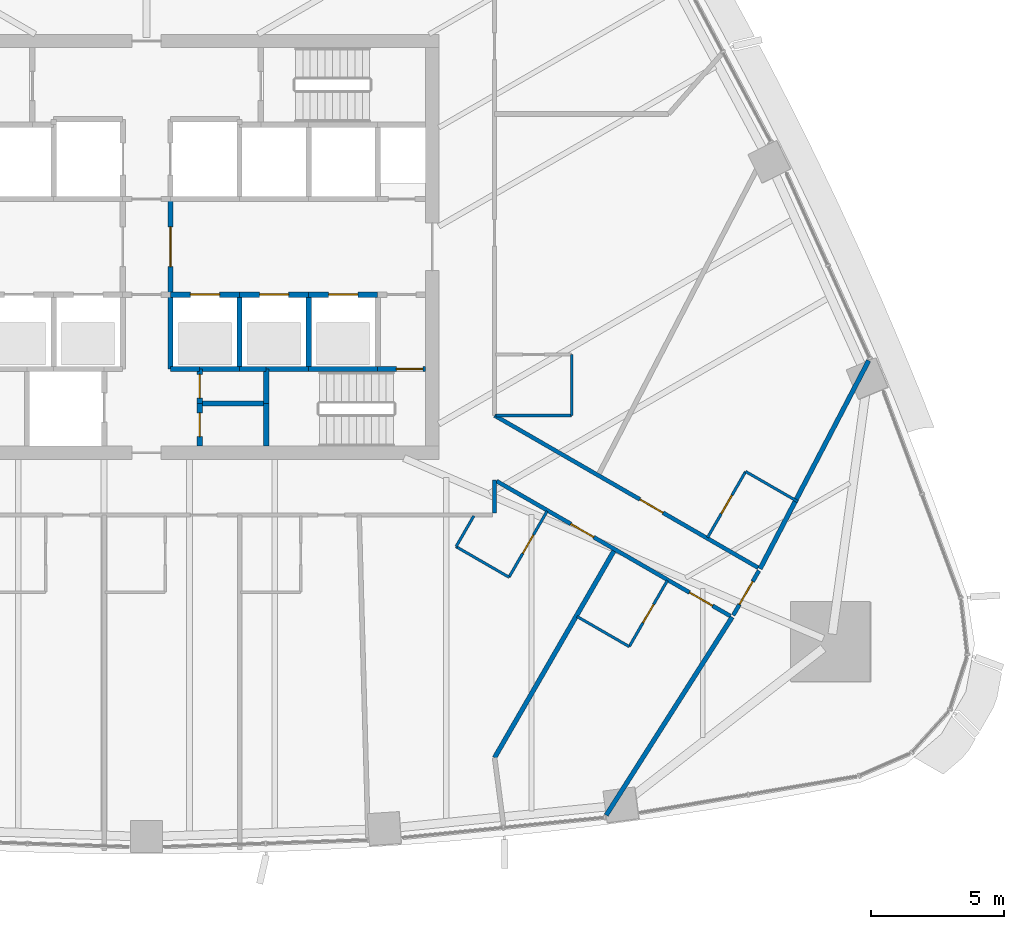
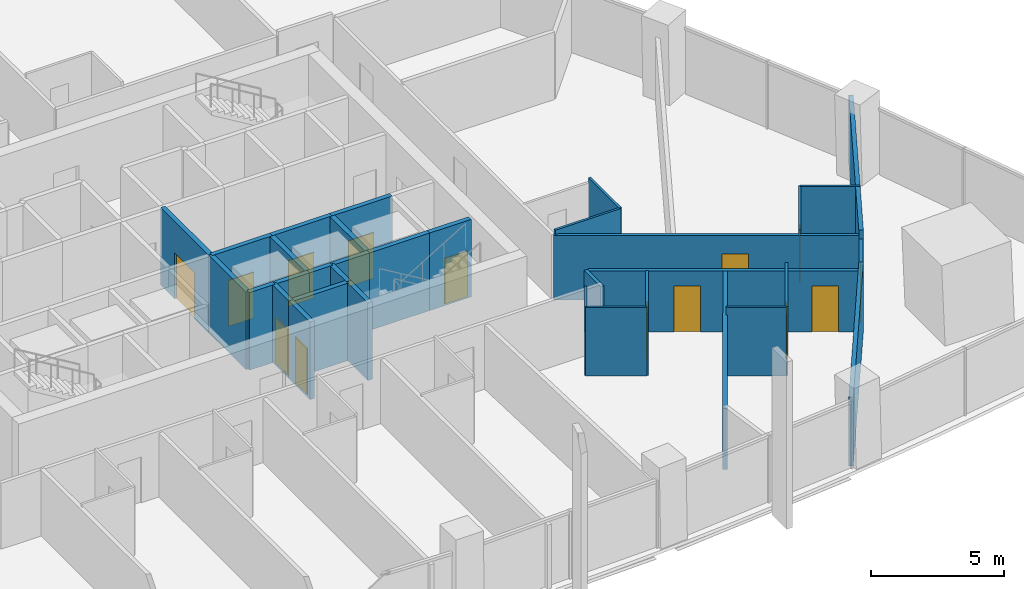
# One storey, part 12 of 22: 34 walls, 14 doors, 14 openings.
"""IFC4 building model written with IfcOpenShell, lengths in metres."""

from ifc_helpers import new_model, si_unit, direction, frame, frame_2d, origin, place, context, subcontext, project, spatial, rectangle, extrude, material, layer, layer_set, type_object, element, fill, save


model = new_model("IFC4")

# Units and contexts
model_context = context("Model", 3, precision=1e-05, world=origin(), true_north=direction((0.0, 1.0)))
body_context = subcontext(model_context, "Body", "Model", "MODEL_VIEW")
ifc_project = project(units=[si_unit("LENGTHUNIT", "METRE"), si_unit("AREAUNIT", "SQUARE_METRE"), si_unit("VOLUMEUNIT", "CUBIC_METRE"), si_unit("PLANEANGLEUNIT", "RADIAN"), si_unit("MASSUNIT", "GRAM", prefix="KILO")], contexts=[model_context])

# Site, building, storey
site_placement = place(None, origin())
site = spatial("IfcSite", under=ifc_project, at=site_placement, CompositionType="ELEMENT")
building_placement = place(site_placement, origin())
building = spatial("IfcBuilding", under=site, at=building_placement, Name="Sierra Prisma Convention Tower", CompositionType="ELEMENT")
storey_placement = place(building_placement, frame((0.0, 0.0, 96.10009765625)))
storey = spatial("IfcBuildingStorey", under=building, at=storey_placement, Name="L20", CompositionType="ELEMENT", Elevation=96.10009765625)

# Wall, opening, door
ifc_material_1 = material(Name="Gypsum board partition", Category="gypsum")
ifc_layer_1 = layer(ifc_material_1, 0.10009765625)
ifc_layer_set_1 = layer_set([ifc_layer_1], Name="Bathroom partition 100")
wall_type_1 = type_object("IfcWallType", Name="Bathroom partition 100", PredefinedType="PARTITIONING", material=ifc_layer_set_1)
wall_1_placement = place(storey_placement, frame((15.076904296875, -9.95166015625, 0.0), z_axis=(0.0, 0.0, 1.0), x_axis=(-0.499999802827, -0.866025517622, 0.0)))
wall_1 = element("IfcWall", 1, at=wall_1_placement, inside=storey, type_object=wall_type_1, Name="Partition L20 bath 22", PredefinedType="PARTITIONING", context=body_context, shape_type="SweptSolid", body=[
    extrude(rectangle(XDim=2.8701171875, YDim=0.10009765625, at=frame_2d((1.43505859375, 0.0))), origin(), (0.0, 0.0, 1.0), 2.796875),
])
opening_1_placement = place(wall_1_placement, frame((1.034912109375, 0.0, 0.0)))
opening_1 = element("IfcOpeningElement", 2, at=opening_1_placement, cuts=wall_1, Name="Opening L20-D011", PredefinedType="OPENING", context=body_context, shape_type="SweptSolid", body=[
    extrude(rectangle(XDim=0.800048828125, YDim=2.10009765625, at=frame_2d((0.39990234375, 1.050048828125))), frame((0.0, 0.050048828125, 0.0), z_axis=(0.0, -1.0, 0.0), x_axis=(1.0, 0.0, 0.0)), (0.0, 0.0, 1.0), 0.10009765625),
])
ifc_material_2 = material(Name="Solid core timber door leaf", Category="wood")
door_type_1 = type_object("IfcDoorType", Name="Door 800x2100 plain", OperationType="SINGLE_SWING_LEFT", PredefinedType="DOOR", material=ifc_material_2)
door_1_placement = place(opening_1_placement, origin())
door_1 = element("IfcDoor", 3, at=door_1_placement, inside=storey, type_object=door_type_1, Name="Door L20 26", OperationType="SINGLE_SWING_LEFT", OverallHeight=2.10009765625, OverallWidth=0.800048828125, PredefinedType="DOOR", context=body_context, shape_type="SweptSolid", body=[
    extrude(rectangle(XDim=0.800048828125, YDim=2.10009765625, at=frame_2d((0.39990234375, 1.050048828125))), frame((0.0, 0.02490234375, 0.0), z_axis=(0.0, -1.0, 0.0), x_axis=(1.0, 0.0, 0.0)), (0.0, 0.0, 1.0), 0.050048828125),
])
fill(opening_1, door_1)

# Walls
wall_2_placement = place(storey_placement, frame((13.641845703125, -12.437255859375, 0.0), z_axis=(0.0, 0.0, 1.0), x_axis=(-0.866007057882, 0.500031774688, 0.0)))
element("IfcWall", 4, at=wall_2_placement, inside=storey, type_object=wall_type_1, Name="Partition L20 bath 23", PredefinedType="PARTITIONING", context=body_context, shape_type="SweptSolid", body=[
    extrude(rectangle(XDim=2.300048828125, YDim=0.10009765625, at=frame_2d((1.14990234375, 0.0))), origin(), (0.0, 0.0, 1.0), 3.14990234375),
])
wall_3_placement = place(storey_placement, frame((11.64990234375, -11.287109375, 0.0), z_axis=(0.0, 0.0, 1.0), x_axis=(0.500049290317, 0.865996944136, 0.0)))
element("IfcWall", 5, at=wall_3_placement, inside=storey, type_object=wall_type_1, Name="Partition L20 bath 24", PredefinedType="PARTITIONING", context=body_context, shape_type="SweptSolid", body=[
    extrude(rectangle(XDim=1.336181640625, YDim=0.10009765625, at=frame_2d((0.66796875, 0.0))), origin(), (0.0, 0.0, 1.0), 3.14990234375),
])
wall_4_placement = place(storey_placement, frame((16.0, -4.05078125, 0.0), z_axis=(0.0, 0.0, 1.0), x_axis=(0.0, -1.0, 0.0)))
element("IfcWall", 6, at=wall_4_placement, inside=storey, type_object=wall_type_1, Name="Partition L20 bath 26", PredefinedType="PARTITIONING", context=body_context, shape_type="SweptSolid", body=[
    extrude(rectangle(XDim=2.300048828125, YDim=0.10009765625, at=frame_2d((1.14990234375, 0.0))), origin(), (0.0, 0.0, 1.0), 3.14990234375),
])
wall_5_placement = place(storey_placement, frame((16.0, -6.350830078125, 0.0), z_axis=(0.0, 0.0, 1.0), x_axis=(-1.0, 0.0, 0.0)))
element("IfcWall", 7, at=wall_5_placement, inside=storey, type_object=wall_type_1, Name="Partition L20 bath 27", PredefinedType="PARTITIONING", context=body_context, shape_type="SweptSolid", body=[
    extrude(rectangle(XDim=2.840087890625, YDim=0.10009765625, at=frame_2d((1.419921875, 0.0))), origin(), (0.0, 0.0, 1.0), 3.14990234375),
])

# Wall, opening, door
wall_6_placement = place(storey_placement, frame((19.602783203125, -12.564697265625, 0.0), z_axis=(0.0, 0.0, 1.0), x_axis=(-0.499936001555, -0.866062350151, 0.0)))
wall_6 = element("IfcWall", 8, at=wall_6_placement, inside=storey, type_object=wall_type_1, Name="Partition L20 bath 28", PredefinedType="PARTITIONING", context=body_context, shape_type="SweptSolid", body=[
    extrude(rectangle(XDim=2.8701171875, YDim=0.10009765625, at=frame_2d((1.43505859375, 0.0))), origin(), (0.0, 0.0, 1.0), 3.14990234375),
])
opening_2_placement = place(wall_6_placement, frame((1.034912109375, 0.0, 0.0)))
opening_2 = element("IfcOpeningElement", 9, at=opening_2_placement, cuts=wall_6, Name="Opening L20-D012", PredefinedType="OPENING", context=body_context, shape_type="SweptSolid", body=[
    extrude(rectangle(XDim=0.800048828125, YDim=2.10009765625, at=frame_2d((0.39990234375, 1.050048828125))), frame((0.0, 0.050048828125, 0.0), z_axis=(0.0, -1.0, 0.0), x_axis=(1.0, 0.0, 0.0)), (0.0, 0.0, 1.0), 0.10009765625),
])
door_2_placement = place(opening_2_placement, origin())
door_2 = element("IfcDoor", 10, at=door_2_placement, inside=storey, type_object=door_type_1, Name="Door L20 28", OperationType="SINGLE_SWING_LEFT", OverallHeight=2.10009765625, OverallWidth=0.800048828125, PredefinedType="DOOR", context=body_context, shape_type="SweptSolid", body=[
    extrude(rectangle(XDim=0.800048828125, YDim=2.10009765625, at=frame_2d((0.39990234375, 1.050048828125))), frame((0.0, 0.02490234375, 0.0), z_axis=(0.0, -1.0, 0.0), x_axis=(1.0, 0.0, 0.0)), (0.0, 0.0, 1.0), 0.050048828125),
])
fill(opening_2, door_2)

# Wall
wall_7_placement = place(storey_placement, frame((18.16796875, -15.05029296875, 0.0), z_axis=(0.0, 0.0, 1.0), x_axis=(-0.866044110172, 0.499967598186, 0.0)))
element("IfcWall", 11, at=wall_7_placement, inside=storey, type_object=wall_type_1, Name="Partition L20 bath 29", PredefinedType="PARTITIONING", context=body_context, shape_type="SweptSolid", body=[
    extrude(rectangle(XDim=2.270263671875, YDim=0.10009765625, at=frame_2d((1.13525390625, 0.0))), origin(), (0.0, 0.0, 1.0), 3.14990234375),
])

# Wall, opening, door
wall_8_placement = place(storey_placement, frame((21.115966796875, -10.944091796875, 0.0), z_axis=(0.0, 0.0, 1.0), x_axis=(0.499972835562, 0.866041086612, 0.0)))
wall_8 = element("IfcWall", 12, at=wall_8_placement, inside=storey, type_object=wall_type_1, Name="Partition L20 bath 30", PredefinedType="PARTITIONING", context=body_context, shape_type="SweptSolid", body=[
    extrude(rectangle(XDim=2.869873046875, YDim=0.10009765625, at=frame_2d((1.43505859375, 0.0))), origin(), (0.0, 0.0, 1.0), 3.14990234375),
])
opening_3_placement = place(wall_8_placement, frame((1.034912109375, 0.0, 0.0)))
opening_3 = element("IfcOpeningElement", 13, at=opening_3_placement, cuts=wall_8, Name="Opening L20-D013", PredefinedType="OPENING", context=body_context, shape_type="SweptSolid", body=[
    extrude(rectangle(XDim=0.800048828125, YDim=2.10009765625, at=frame_2d((0.39990234375, 1.050048828125))), frame((0.0, 0.050048828125, 0.0), z_axis=(0.0, -1.0, 0.0), x_axis=(1.0, 0.0, 0.0)), (0.0, 0.0, 1.0), 0.10009765625),
])
door_3_placement = place(opening_3_placement, origin())
door_3 = element("IfcDoor", 14, at=door_3_placement, inside=storey, type_object=door_type_1, Name="Door L20 31", OperationType="SINGLE_SWING_LEFT", OverallHeight=2.10009765625, OverallWidth=0.800048828125, PredefinedType="DOOR", context=body_context, shape_type="SweptSolid", body=[
    extrude(rectangle(XDim=0.800048828125, YDim=2.10009765625, at=frame_2d((0.39990234375, 1.050048828125))), frame((0.0, 0.02490234375, 0.0), z_axis=(0.0, -1.0, 0.0), x_axis=(1.0, 0.0, 0.0)), (0.0, 0.0, 1.0), 0.050048828125),
])
fill(opening_3, door_3)

# Wall
wall_9_placement = place(storey_placement, frame((22.55078125, -8.458740234375, 0.0), z_axis=(0.0, 0.0, 1.0), x_axis=(0.866044110172, -0.499967598186, 0.0)))
element("IfcWall", 15, at=wall_9_placement, inside=storey, type_object=wall_type_1, Name="Partition L20 bath 31", PredefinedType="PARTITIONING", context=body_context, shape_type="SweptSolid", body=[
    extrude(rectangle(XDim=2.270263671875, YDim=0.10009765625, at=frame_2d((1.13525390625, 0.0))), origin(), (0.0, 0.0, 1.0), 3.14990234375),
])

# Wall, opening, door
ifc_material_3 = material(Name="Concrete C30/37", Category="concrete")
ifc_layer_2 = layer(ifc_material_3, 0.199951171875)
ifc_layer_set_2 = layer_set([ifc_layer_2], Name="Core wall RC 200 C30/37")
wall_type_2 = type_object("IfcWallType", Name="Core wall RC 200 C30/37", PredefinedType="SOLIDWALL", material=ifc_layer_set_2)
wall_10_placement = place(storey_placement, frame((0.89990234375, -1.800048828125, 0.0), z_axis=(0.0, 0.0, 1.0), x_axis=(1.0, 0.0, 0.0)))
wall_10 = element("IfcWall", 16, at=wall_10_placement, inside=storey, type_object=wall_type_2, Name="Core wall L20 35", PredefinedType="SOLIDWALL", context=body_context, shape_type="SweptSolid", body=[
    extrude(rectangle(XDim=2.60009765625, YDim=0.199951171875, at=frame_2d((1.300048828125, 0.0))), origin(), (0.0, 0.0, 1.0), 3.5498046875),
])
opening_4_placement = place(wall_10_placement, frame((0.75, 0.0, 0.0)))
opening_4 = element("IfcOpeningElement", 17, at=opening_4_placement, cuts=wall_10, Name="Opening L20-D018", PredefinedType="OPENING", context=body_context, shape_type="SweptSolid", body=[
    extrude(rectangle(XDim=1.10009765625, YDim=2.10009765625, at=frame_2d((0.550048828125, 1.050048828125))), frame((0.0, 0.10009765625, 0.0), z_axis=(0.0, -1.0, 0.0), x_axis=(1.0, 0.0, 0.0)), (0.0, 0.0, 1.0), 0.199951171875),
])
ifc_material_4 = material(Name="Steel fire door leaf", Category="steel")
door_type_2 = type_object("IfcDoorType", Name="Door 1100x2100 EI 90 sliding lift landing", OperationType="SLIDING_TO_LEFT", PredefinedType="DOOR", material=ifc_material_4)
door_4_placement = place(opening_4_placement, origin())
door_4 = element("IfcDoor", 18, at=door_4_placement, inside=storey, type_object=door_type_2, Name="Door L20 37", OperationType="SLIDING_TO_RIGHT", OverallHeight=2.10009765625, OverallWidth=1.10009765625, PredefinedType="DOOR", context=body_context, shape_type="SweptSolid", body=[
    extrude(rectangle(XDim=1.10009765625, YDim=2.10009765625, at=frame_2d((0.550048828125, 1.050048828125))), frame((0.0, 0.02490234375, 0.0), z_axis=(0.0, -1.0, 0.0), x_axis=(1.0, 0.0, 0.0)), (0.0, 0.0, 1.0), 0.050048828125),
])
fill(opening_4, door_4)

wall_11_placement = place(storey_placement, frame((0.89990234375, -1.800048828125, 0.0), z_axis=(0.0, 0.0, 1.0), x_axis=(0.0, 1.0, 0.0)))
wall_11 = element("IfcWall", 19, at=wall_11_placement, inside=storey, type_object=wall_type_2, Name="Core wall L20 36", PredefinedType="SOLIDWALL", context=body_context, shape_type="SweptSolid", body=[
    extrude(rectangle(XDim=3.60009765625, YDim=0.199951171875, at=frame_2d((1.800048828125, 0.0))), origin(), (0.0, 0.0, 1.0), 3.5498046875),
])
opening_5_placement = place(wall_11_placement, frame((1.050048828125, 0.0, 0.0)))
opening_5 = element("IfcOpeningElement", 20, at=opening_5_placement, cuts=wall_11, Name="Opening L20-D025", PredefinedType="OPENING", context=body_context, shape_type="SweptSolid", body=[
    extrude(rectangle(XDim=1.5, YDim=2.10009765625, at=frame_2d((0.75, 1.050048828125))), frame((0.0, 0.10009765625, 0.0), z_axis=(0.0, -1.0, 0.0), x_axis=(1.0, 0.0, 0.0)), (0.0, 0.0, 1.0), 0.199951171875),
])
ifc_material_5 = material(Name="Steel fire door leaf", Category="steel")
door_type_3 = type_object("IfcDoorType", Name="Door 1500x2100 FD30S", OperationType="DOUBLE_DOOR_SINGLE_SWING", PredefinedType="DOOR", material=ifc_material_5)
door_5_placement = place(opening_5_placement, origin())
door_5 = element("IfcDoor", 21, at=door_5_placement, inside=storey, type_object=door_type_3, Name="Door L20 44", OperationType="DOUBLE_DOOR_SINGLE_SWING", OverallHeight=2.10009765625, OverallWidth=1.5, PredefinedType="DOOR", context=body_context, shape_type="SweptSolid", body=[
    extrude(rectangle(XDim=1.5, YDim=2.10009765625, at=frame_2d((0.75, 1.050048828125))), frame((0.0, 0.02490234375, 0.0), z_axis=(0.0, -1.0, 0.0), x_axis=(1.0, 0.0, 0.0)), (0.0, 0.0, 1.0), 0.050048828125),
])
fill(opening_5, door_5)

# Walls
wall_12_placement = place(storey_placement, frame((0.89990234375, -1.800048828125, 0.0), z_axis=(0.0, 0.0, 1.0), x_axis=(0.0, -1.0, 0.0)))
element("IfcWall", 22, at=wall_12_placement, inside=storey, type_object=wall_type_2, Name="Core wall L20 37", PredefinedType="SOLIDWALL", context=body_context, shape_type="SweptSolid", body=[
    extrude(rectangle(XDim=2.800048828125, YDim=0.199951171875, at=frame_2d((1.39990234375, 0.0))), origin(), (0.0, 0.0, 1.0), 3.5498046875),
])
wall_13_placement = place(storey_placement, frame((0.89990234375, -4.60009765625, 0.0), z_axis=(0.0, 0.0, 1.0), x_axis=(1.0, 0.0, 0.0)))
element("IfcWall", 23, at=wall_13_placement, inside=storey, type_object=wall_type_2, Name="Core wall L20 38", PredefinedType="SOLIDWALL", context=body_context, shape_type="SweptSolid", body=[
    extrude(rectangle(XDim=1.10009765625, YDim=0.199951171875, at=frame_2d((0.550048828125, 0.0))), origin(), (0.0, 0.0, 1.0), 3.5498046875),
])

# Wall, opening, door
wall_14_placement = place(storey_placement, frame((2.0, -5.89990234375, 0.0), z_axis=(0.0, 0.0, 1.0), x_axis=(0.0, -1.0, 0.0)))
wall_14 = element("IfcWall", 24, at=wall_14_placement, inside=storey, type_object=wall_type_2, Name="Core wall L20 43", PredefinedType="SOLIDWALL", context=body_context, shape_type="SweptSolid", body=[
    extrude(rectangle(XDim=1.60009765625, YDim=0.199951171875, at=frame_2d((0.800048828125, 0.0))), origin(), (0.0, 0.0, 1.0), 3.5498046875),
])
opening_6_placement = place(wall_14_placement, frame((0.35009765625, 0.0, 0.0)))
opening_6 = element("IfcOpeningElement", 25, at=opening_6_placement, cuts=wall_14, Name="Opening L20-D036", PredefinedType="OPENING", context=body_context, shape_type="SweptSolid", body=[
    extrude(rectangle(XDim=0.89990234375, YDim=2.10009765625, at=frame_2d((0.449951171875, 1.050048828125))), frame((0.0, 0.10009765625, 0.0), z_axis=(0.0, -1.0, 0.0), x_axis=(1.0, 0.0, 0.0)), (0.0, 0.0, 1.0), 0.199951171875),
])
ifc_material_6 = material(Name="Steel fire door leaf", Category="steel")
door_type_4 = type_object("IfcDoorType", Name="Door 900x2100 FD30S", OperationType="SINGLE_SWING_LEFT", PredefinedType="DOOR", material=ifc_material_6)
door_6_placement = place(opening_6_placement, origin())
door_6 = element("IfcDoor", 26, at=door_6_placement, inside=storey, type_object=door_type_4, Name="Door L20 55", OperationType="SINGLE_SWING_LEFT", OverallHeight=2.10009765625, OverallWidth=0.89990234375, PredefinedType="DOOR", context=body_context, shape_type="SweptSolid", body=[
    extrude(rectangle(XDim=0.89990234375, YDim=2.10009765625, at=frame_2d((0.449951171875, 1.050048828125))), frame((0.0, 0.02490234375, 0.0), z_axis=(0.0, -1.0, 0.0), x_axis=(1.0, 0.0, 0.0)), (0.0, 0.0, 1.0), 0.050048828125),
])
fill(opening_6, door_6)

# Wall
wall_15_placement = place(storey_placement, frame((4.5, -5.89990234375, 0.0), z_axis=(0.0, 0.0, 1.0), x_axis=(-1.0, 0.0, 0.0)))
element("IfcWall", 27, at=wall_15_placement, inside=storey, type_object=wall_type_2, Name="Core wall L20 44", PredefinedType="SOLIDWALL", context=body_context, shape_type="SweptSolid", body=[
    extrude(rectangle(XDim=2.5, YDim=0.199951171875, at=frame_2d((1.25, 0.0))), origin(), (0.0, 0.0, 1.0), 3.5498046875),
])

# Wall, opening, door
wall_16_placement = place(storey_placement, frame((2.0, -4.60009765625, 0.0), z_axis=(0.0, 0.0, 1.0), x_axis=(0.0, -1.0, 0.0)))
wall_16 = element("IfcWall", 28, at=wall_16_placement, inside=storey, type_object=wall_type_2, Name="Core wall L20 45", PredefinedType="SOLIDWALL", context=body_context, shape_type="SweptSolid", body=[
    extrude(rectangle(XDim=1.2998046875, YDim=0.199951171875, at=frame_2d((0.64990234375, 0.0))), origin(), (0.0, 0.0, 1.0), 3.5498046875),
])
opening_7_placement = place(wall_16_placement, frame((0.199951171875, 0.0, 0.0)))
opening_7 = element("IfcOpeningElement", 29, at=opening_7_placement, cuts=wall_16, Name="Opening L20-D037", PredefinedType="OPENING", context=body_context, shape_type="SweptSolid", body=[
    extrude(rectangle(XDim=0.89990234375, YDim=2.10009765625, at=frame_2d((0.449951171875, 1.050048828125))), frame((0.0, 0.10009765625, 0.0), z_axis=(0.0, -1.0, 0.0), x_axis=(1.0, 0.0, 0.0)), (0.0, 0.0, 1.0), 0.199951171875),
])
door_7_placement = place(opening_7_placement, origin())
door_7 = element("IfcDoor", 30, at=door_7_placement, inside=storey, type_object=door_type_4, Name="Door L20 56", OperationType="SINGLE_SWING_RIGHT", OverallHeight=2.10009765625, OverallWidth=0.89990234375, PredefinedType="DOOR", context=body_context, shape_type="SweptSolid", body=[
    extrude(rectangle(XDim=0.89990234375, YDim=2.10009765625, at=frame_2d((0.449951171875, 1.050048828125))), frame((0.0, 0.02490234375, 0.0), z_axis=(0.0, -1.0, 0.0), x_axis=(1.0, 0.0, 0.0)), (0.0, 0.0, 1.0), 0.050048828125),
])
fill(opening_7, door_7)

# Walls
wall_17_placement = place(storey_placement, frame((3.5, -4.60009765625, 0.0), z_axis=(0.0, 0.0, 1.0), x_axis=(-1.0, 0.0, 0.0)))
element("IfcWall", 31, at=wall_17_placement, inside=storey, type_object=wall_type_2, Name="Core wall L20 46", PredefinedType="SOLIDWALL", context=body_context, shape_type="SweptSolid", body=[
    extrude(rectangle(XDim=1.5, YDim=0.199951171875, at=frame_2d((0.75, 0.0))), origin(), (0.0, 0.0, 1.0), 3.5498046875),
])
wall_18_placement = place(storey_placement, frame((4.5, -4.60009765625, 0.0), z_axis=(0.0, 0.0, 1.0), x_axis=(-1.0, 0.0, 0.0)))
element("IfcWall", 32, at=wall_18_placement, inside=storey, type_object=wall_type_2, Name="Core wall L20 47", PredefinedType="SOLIDWALL", context=body_context, shape_type="SweptSolid", body=[
    extrude(rectangle(XDim=1.0, YDim=0.199951171875, at=frame_2d((0.5, 0.0))), origin(), (0.0, 0.0, 1.0), 3.5498046875),
])
wall_19_placement = place(storey_placement, frame((3.5, -4.60009765625, 0.0), z_axis=(0.0, 0.0, 1.0), x_axis=(0.0, 1.0, 0.0)))
element("IfcWall", 33, at=wall_19_placement, inside=storey, type_object=wall_type_2, Name="Core wall L20 48", PredefinedType="SOLIDWALL", context=body_context, shape_type="SweptSolid", body=[
    extrude(rectangle(XDim=2.800048828125, YDim=0.199951171875, at=frame_2d((1.39990234375, 0.0))), origin(), (0.0, 0.0, 1.0), 3.5498046875),
])

# Wall, opening, door
wall_20_placement = place(storey_placement, frame((3.5, -1.800048828125, 0.0), z_axis=(0.0, 0.0, 1.0), x_axis=(1.0, 0.0, 0.0)))
wall_20 = element("IfcWall", 34, at=wall_20_placement, inside=storey, type_object=wall_type_2, Name="Core wall L20 49", PredefinedType="SOLIDWALL", context=body_context, shape_type="SweptSolid", body=[
    extrude(rectangle(XDim=2.60009765625, YDim=0.199951171875, at=frame_2d((1.300048828125, 0.0))), origin(), (0.0, 0.0, 1.0), 3.5498046875),
])
opening_8_placement = place(wall_20_placement, frame((0.75, 0.0, 0.0)))
opening_8 = element("IfcOpeningElement", 35, at=opening_8_placement, cuts=wall_20, Name="Opening L20-D019", PredefinedType="OPENING", context=body_context, shape_type="SweptSolid", body=[
    extrude(rectangle(XDim=1.10009765625, YDim=2.10009765625, at=frame_2d((0.550048828125, 1.050048828125))), frame((0.0, 0.10009765625, 0.0), z_axis=(0.0, -1.0, 0.0), x_axis=(1.0, 0.0, 0.0)), (0.0, 0.0, 1.0), 0.199951171875),
])
door_8_placement = place(opening_8_placement, origin())
door_8 = element("IfcDoor", 36, at=door_8_placement, inside=storey, type_object=door_type_2, Name="Door L20 38", OperationType="SLIDING_TO_LEFT", OverallHeight=2.10009765625, OverallWidth=1.10009765625, PredefinedType="DOOR", context=body_context, shape_type="SweptSolid", body=[
    extrude(rectangle(XDim=1.10009765625, YDim=2.10009765625, at=frame_2d((0.550048828125, 1.050048828125))), frame((0.0, 0.02490234375, 0.0), z_axis=(0.0, -1.0, 0.0), x_axis=(1.0, 0.0, 0.0)), (0.0, 0.0, 1.0), 0.050048828125),
])
fill(opening_8, door_8)

# Walls
wall_21_placement = place(storey_placement, frame((4.5, -7.5, 0.0), z_axis=(0.0, 0.0, 1.0), x_axis=(0.0, 1.0, 0.0)))
element("IfcWall", 37, at=wall_21_placement, inside=storey, type_object=wall_type_2, Name="Core wall L20 55", PredefinedType="SOLIDWALL", context=body_context, shape_type="SweptSolid", body=[
    extrude(rectangle(XDim=1.60009765625, YDim=0.199951171875, at=frame_2d((0.800048828125, 0.0))), origin(), (0.0, 0.0, 1.0), 3.5498046875),
])
wall_22_placement = place(storey_placement, frame((4.5, -5.89990234375, 0.0), z_axis=(0.0, 0.0, 1.0), x_axis=(0.0, 1.0, 0.0)))
element("IfcWall", 38, at=wall_22_placement, inside=storey, type_object=wall_type_2, Name="Core wall L20 56", PredefinedType="SOLIDWALL", context=body_context, shape_type="SweptSolid", body=[
    extrude(rectangle(XDim=1.2998046875, YDim=0.199951171875, at=frame_2d((0.64990234375, 0.0))), origin(), (0.0, 0.0, 1.0), 3.5498046875),
])
wall_23_placement = place(storey_placement, frame((4.5, -4.60009765625, 0.0), z_axis=(0.0, 0.0, 1.0), x_axis=(1.0, 0.0, 0.0)))
element("IfcWall", 39, at=wall_23_placement, inside=storey, type_object=wall_type_2, Name="Core wall L20 57", PredefinedType="SOLIDWALL", context=body_context, shape_type="SweptSolid", body=[
    extrude(rectangle(XDim=1.60009765625, YDim=0.199951171875, at=frame_2d((0.800048828125, 0.0))), origin(), (0.0, 0.0, 1.0), 3.5498046875),
])
wall_24_placement = place(storey_placement, frame((6.10009765625, -4.60009765625, 0.0), z_axis=(0.0, 0.0, 1.0), x_axis=(1.0, 0.0, 0.0)))
element("IfcWall", 40, at=wall_24_placement, inside=storey, type_object=wall_type_2, Name="Core wall L20 58", PredefinedType="SOLIDWALL", context=body_context, shape_type="SweptSolid", body=[
    extrude(rectangle(XDim=2.599853515625, YDim=0.199951171875, at=frame_2d((1.2998046875, 0.0))), origin(), (0.0, 0.0, 1.0), 3.5498046875),
])
wall_25_placement = place(storey_placement, frame((6.10009765625, -4.60009765625, 0.0), z_axis=(0.0, 0.0, 1.0), x_axis=(0.0, 1.0, 0.0)))
element("IfcWall", 41, at=wall_25_placement, inside=storey, type_object=wall_type_2, Name="Core wall L20 59", PredefinedType="SOLIDWALL", context=body_context, shape_type="SweptSolid", body=[
    extrude(rectangle(XDim=2.800048828125, YDim=0.199951171875, at=frame_2d((1.39990234375, 0.0))), origin(), (0.0, 0.0, 1.0), 3.5498046875),
])

# Wall, opening, door
wall_26_placement = place(storey_placement, frame((6.10009765625, -1.800048828125, 0.0), z_axis=(0.0, 0.0, 1.0), x_axis=(1.0, 0.0, 0.0)))
wall_26 = element("IfcWall", 42, at=wall_26_placement, inside=storey, type_object=wall_type_2, Name="Core wall L20 60", PredefinedType="SOLIDWALL", context=body_context, shape_type="SweptSolid", body=[
    extrude(rectangle(XDim=2.599853515625, YDim=0.199951171875, at=frame_2d((1.2998046875, 0.0))), origin(), (0.0, 0.0, 1.0), 3.5498046875),
])
opening_9_placement = place(wall_26_placement, frame((0.75, 0.0, 0.0)))
opening_9 = element("IfcOpeningElement", 43, at=opening_9_placement, cuts=wall_26, Name="Opening L20-D020", PredefinedType="OPENING", context=body_context, shape_type="SweptSolid", body=[
    extrude(rectangle(XDim=1.10009765625, YDim=2.10009765625, at=frame_2d((0.550048828125, 1.050048828125))), frame((0.0, 0.10009765625, 0.0), z_axis=(0.0, -1.0, 0.0), x_axis=(1.0, 0.0, 0.0)), (0.0, 0.0, 1.0), 0.199951171875),
])
door_9_placement = place(opening_9_placement, origin())
door_9 = element("IfcDoor", 44, at=door_9_placement, inside=storey, type_object=door_type_2, Name="Door L20 39", OperationType="SLIDING_TO_RIGHT", OverallHeight=2.10009765625, OverallWidth=1.10009765625, PredefinedType="DOOR", context=body_context, shape_type="SweptSolid", body=[
    extrude(rectangle(XDim=1.10009765625, YDim=2.10009765625, at=frame_2d((0.550048828125, 1.050048828125))), frame((0.0, 0.02490234375, 0.0), z_axis=(0.0, -1.0, 0.0), x_axis=(1.0, 0.0, 0.0)), (0.0, 0.0, 1.0), 0.050048828125),
])
fill(opening_9, door_9)

wall_27_placement = place(storey_placement, frame((8.699951171875, -4.60009765625, 0.0), z_axis=(0.0, 0.0, 1.0), x_axis=(1.0, 0.0, 0.0)))
wall_27 = element("IfcWall", 45, at=wall_27_placement, inside=storey, type_object=wall_type_2, Name="Core wall L20 64", PredefinedType="SOLIDWALL", context=body_context, shape_type="SweptSolid", body=[
    extrude(rectangle(XDim=1.800048828125, YDim=0.199951171875, at=frame_2d((0.89990234375, 0.0))), origin(), (0.0, 0.0, 1.0), 3.5498046875),
])
opening_10_placement = place(wall_27_placement, frame((0.699951171875, 0.0, 0.0)))
opening_10 = element("IfcOpeningElement", 46, at=opening_10_placement, cuts=wall_27, Name="Opening L20-D033", PredefinedType="OPENING", context=body_context, shape_type="SweptSolid", body=[
    extrude(rectangle(XDim=1.0, YDim=2.10009765625, at=frame_2d((0.5, 1.050048828125))), frame((0.0, 0.10009765625, 0.0), z_axis=(0.0, -1.0, 0.0), x_axis=(1.0, 0.0, 0.0)), (0.0, 0.0, 1.0), 0.199951171875),
])
ifc_material_7 = material(Name="Steel fire door leaf", Category="steel")
door_type_5 = type_object("IfcDoorType", Name="Door 1000x2100 FD90S", OperationType="SINGLE_SWING_LEFT", PredefinedType="DOOR", material=ifc_material_7)
door_10_placement = place(opening_10_placement, origin())
door_10 = element("IfcDoor", 47, at=door_10_placement, inside=storey, type_object=door_type_5, Name="Door L20 52", OperationType="SINGLE_SWING_RIGHT", OverallHeight=2.10009765625, OverallWidth=1.0, PredefinedType="DOOR", context=body_context, shape_type="SweptSolid", body=[
    extrude(rectangle(XDim=1.0, YDim=2.10009765625, at=frame_2d((0.5, 1.050048828125))), frame((0.0, 0.02490234375, 0.0), z_axis=(0.0, -1.0, 0.0), x_axis=(1.0, 0.0, 0.0)), (0.0, 0.0, 1.0), 0.050048828125),
])
fill(opening_10, door_10)

# Wall
ifc_material_8 = material(Name="Gypsum board partition", Category="gypsum")
ifc_layer_3 = layer(ifc_material_8, 0.14990234375)
ifc_layer_set_3 = layer_set([ifc_layer_3], Name="Corridor wall 150 gypsum EI 60")
wall_type_3 = type_object("IfcWallType", Name="Corridor wall 150 gypsum EI 60", PredefinedType="PARTITIONING", material=ifc_layer_set_3)
wall_28_placement = place(storey_placement, frame((13.10009765625, -10.02001953125, 0.0), z_axis=(0.0, 0.0, 1.0), x_axis=(0.0, 1.0, 0.0)))
element("IfcWall", 48, at=wall_28_placement, inside=storey, type_object=wall_type_3, Name="Partition L20 corr 14", PredefinedType="PARTITIONING", context=body_context, shape_type="SweptSolid", body=[
    extrude(rectangle(XDim=1.244384765625, YDim=0.14990234375, at=frame_2d((0.6220703125, 0.0))), origin(), (0.0, 0.0, 1.0), 2.796875),
])

# Wall, openings, doors
wall_29_placement = place(storey_placement, frame((13.17919921875, -8.821533203125, 0.0), z_axis=(0.0, 0.0, 1.0), x_axis=(0.86603304561, -0.499986763735, 0.0)))
wall_29 = element("IfcWall", 49, at=wall_29_placement, inside=storey, type_object=wall_type_3, Name="Partition L20 corr 15", PredefinedType="PARTITIONING", context=body_context, shape_type="SweptSolid", body=[
    extrude(rectangle(XDim=10.154541015625, YDim=0.14990234375, at=frame_2d((5.0771484375, 0.0))), origin(), (0.0, 0.0, 1.0), 2.796875),
])
opening_11_placement = place(wall_29_placement, frame((3.2216796875, 0.0, 0.0)))
opening_11 = element("IfcOpeningElement", 50, at=opening_11_placement, cuts=wall_29, Name="Opening L20-D052", PredefinedType="OPENING", context=body_context, shape_type="SweptSolid", body=[
    extrude(rectangle(XDim=1.0, YDim=2.10009765625, at=frame_2d((0.5, 1.050048828125))), frame((0.0, 0.074951171875, 0.0), z_axis=(0.0, -1.0, 0.0), x_axis=(1.0, 0.0, 0.0)), (0.0, 0.0, 1.0), 0.14990234375),
])
opening_12_placement = place(wall_29_placement, frame((8.384765625, 0.0, 0.0)))
opening_12 = element("IfcOpeningElement", 51, at=opening_12_placement, cuts=wall_29, Name="Opening L20-D053", PredefinedType="OPENING", context=body_context, shape_type="SweptSolid", body=[
    extrude(rectangle(XDim=1.0, YDim=2.10009765625, at=frame_2d((0.5, 1.050048828125))), frame((0.0, 0.074951171875, 0.0), z_axis=(0.0, -1.0, 0.0), x_axis=(1.0, 0.0, 0.0)), (0.0, 0.0, 1.0), 0.14990234375),
])
ifc_material_9 = material(Name="Steel fire door leaf", Category="steel")
door_type_6 = type_object("IfcDoorType", Name="Door 1000x2100 FD30S", OperationType="SINGLE_SWING_LEFT", PredefinedType="DOOR", material=ifc_material_9)
door_11_placement = place(opening_11_placement, origin())
door_11 = element("IfcDoor", 52, at=door_11_placement, inside=storey, type_object=door_type_6, Name="Door L20 25", OperationType="SINGLE_SWING_LEFT", OverallHeight=2.10009765625, OverallWidth=1.0, PredefinedType="DOOR", context=body_context, shape_type="SweptSolid", body=[
    extrude(rectangle(XDim=1.0, YDim=2.10009765625, at=frame_2d((0.5, 1.050048828125))), frame((0.0, 0.02490234375, 0.0), z_axis=(0.0, -1.0, 0.0), x_axis=(1.0, 0.0, 0.0)), (0.0, 0.0, 1.0), 0.050048828125),
])
fill(opening_11, door_11)
door_12_placement = place(opening_12_placement, origin())
door_12 = element("IfcDoor", 53, at=door_12_placement, inside=storey, type_object=door_type_6, Name="Door L20 27", OperationType="SINGLE_SWING_LEFT", OverallHeight=2.10009765625, OverallWidth=1.0, PredefinedType="DOOR", context=body_context, shape_type="SweptSolid", body=[
    extrude(rectangle(XDim=1.0, YDim=2.10009765625, at=frame_2d((0.5, 1.050048828125))), frame((0.0, 0.02490234375, 0.0), z_axis=(0.0, -1.0, 0.0), x_axis=(1.0, 0.0, 0.0)), (0.0, 0.0, 1.0), 0.050048828125),
])
fill(opening_12, door_12)

# Wall, opening, door
wall_30_placement = place(storey_placement, frame((23.0234375, -12.080078125, 0.0), z_axis=(0.0, 0.0, 1.0), x_axis=(-0.866025210421, 0.500000334915, 0.0)))
wall_30 = element("IfcWall", 54, at=wall_30_placement, inside=storey, type_object=wall_type_3, Name="Partition L20 corr 16", PredefinedType="PARTITIONING", context=body_context, shape_type="SweptSolid", body=[
    extrude(rectangle(XDim=11.45849609375, YDim=0.14990234375, at=frame_2d((5.729248046875, 0.0))), origin(), (0.0, 0.0, 1.0), 2.947021484375),
])
opening_13_placement = place(wall_30_placement, frame((4.139404296875, 0.0, 0.0)))
opening_13 = element("IfcOpeningElement", 55, at=opening_13_placement, cuts=wall_30, Name="Opening L20-D055", PredefinedType="OPENING", context=body_context, shape_type="SweptSolid", body=[
    extrude(rectangle(XDim=1.0, YDim=2.10009765625, at=frame_2d((0.5, 1.050048828125))), frame((0.0, 0.074951171875, 0.0), z_axis=(0.0, -1.0, 0.0), x_axis=(1.0, 0.0, 0.0)), (0.0, 0.0, 1.0), 0.14990234375),
])
door_13_placement = place(opening_13_placement, origin())
door_13 = element("IfcDoor", 56, at=door_13_placement, inside=storey, type_object=door_type_6, Name="Door L20 30", OperationType="SINGLE_SWING_LEFT", OverallHeight=2.10009765625, OverallWidth=1.0, PredefinedType="DOOR", context=body_context, shape_type="SweptSolid", body=[
    extrude(rectangle(XDim=1.0, YDim=2.10009765625, at=frame_2d((0.5, 1.050048828125))), frame((0.0, 0.02490234375, 0.0), z_axis=(0.0, -1.0, 0.0), x_axis=(1.0, 0.0, 0.0)), (0.0, 0.0, 1.0), 0.050048828125),
])
fill(opening_13, door_13)

wall_31_placement = place(storey_placement, frame((22.082763671875, -13.86962890625, 0.0), z_axis=(0.0, 0.0, 1.0), x_axis=(0.499969367985, 0.866043088465, 0.0)))
wall_31 = element("IfcWall", 57, at=wall_31_placement, inside=storey, type_object=wall_type_3, Name="Partition L20 corr 18", PredefinedType="PARTITIONING", context=body_context, shape_type="SweptSolid", body=[
    extrude(rectangle(XDim=1.93994140625, YDim=0.14990234375, at=frame_2d((0.969970703125, 0.0))), origin(), (0.0, 0.0, 1.0), 2.796875),
])
opening_14_placement = place(wall_31_placement, frame((0.469970703125, 0.0, 0.0)))
opening_14 = element("IfcOpeningElement", 58, at=opening_14_placement, cuts=wall_31, Name="Opening L20-D054", PredefinedType="OPENING", context=body_context, shape_type="SweptSolid", body=[
    extrude(rectangle(XDim=1.0, YDim=2.10009765625, at=frame_2d((0.5, 1.050048828125))), frame((0.0, 0.074951171875, 0.0), z_axis=(0.0, -1.0, 0.0), x_axis=(1.0, 0.0, 0.0)), (0.0, 0.0, 1.0), 0.14990234375),
])
door_14_placement = place(opening_14_placement, origin())
door_14 = element("IfcDoor", 59, at=door_14_placement, inside=storey, type_object=door_type_6, Name="Door L20 29", OperationType="SINGLE_SWING_RIGHT", OverallHeight=2.10009765625, OverallWidth=1.0, PredefinedType="DOOR", context=body_context, shape_type="SweptSolid", body=[
    extrude(rectangle(XDim=1.0, YDim=2.10009765625, at=frame_2d((0.5, 1.050048828125))), frame((0.0, 0.02490234375, 0.0), z_axis=(0.0, -1.0, 0.0), x_axis=(1.0, 0.0, 0.0)), (0.0, 0.0, 1.0), 0.050048828125),
])
fill(opening_14, door_14)

# Walls
ifc_material_10 = material(Name="Acoustic gypsum board partition", Category="gypsum")
ifc_layer_4 = layer(ifc_material_10, 0.175048828125)
ifc_layer_set_4 = layer_set([ifc_layer_4], Name="Guest room party wall 175 acoustic EI 60")
wall_type_4 = type_object("IfcWallType", Name="Guest room party wall 175 acoustic EI 60", PredefinedType="PARTITIONING", material=ifc_layer_set_4)
wall_32_placement = place(storey_placement, frame((17.626220703125, -11.388916015625, 0.0), z_axis=(0.0, 0.0, 1.0), x_axis=(-0.500005721567, -0.866022100411, 0.0)))
element("IfcWall", 60, at=wall_32_placement, inside=storey, type_object=wall_type_4, Name="Partition L20 hparty 17", PredefinedType="PARTITIONING", context=body_context, shape_type="SweptSolid", body=[
    extrude(rectangle(XDim=9.05224609375, YDim=0.175048828125, at=frame_2d((4.526123046875, 0.0))), origin(), (0.0, 0.0, 1.0), 2.796875),
])
for number, where, z_axis, x_axis, name in (
    (61, (22.042724609375, -13.938720703125, 0.0), (0.0, 0.0, 1.0), (-0.536501835105, -0.843899153293, 0.0), "Partition L20 hparty 23"),
    (62, (27.180908203125, -4.285400390625, 0.0), (0.0, 0.0, 1.0), (-0.462606604515, -0.886563663511, 0.0), "Partition L20 hparty 24"),
):
    element("IfcWall", number, at=place(storey_placement, frame(where, z_axis=z_axis, x_axis=x_axis)), inside=storey, type_object=wall_type_4, Name=name, PredefinedType="PARTITIONING", context=body_context, shape_type="SweptSolid", body=[
        extrude(rectangle(XDim=8.837158203125, YDim=0.175048828125, at=frame_2d((4.41845703125, 0.0))), origin(), (0.0, 0.0, 1.0), 3.14990234375),
    ])

save(model, "model.ifc")
